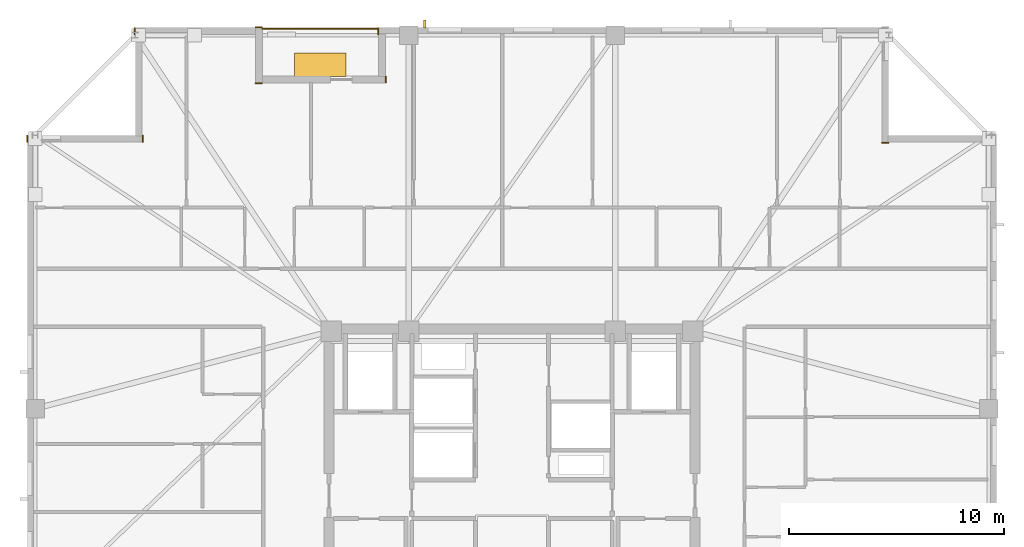
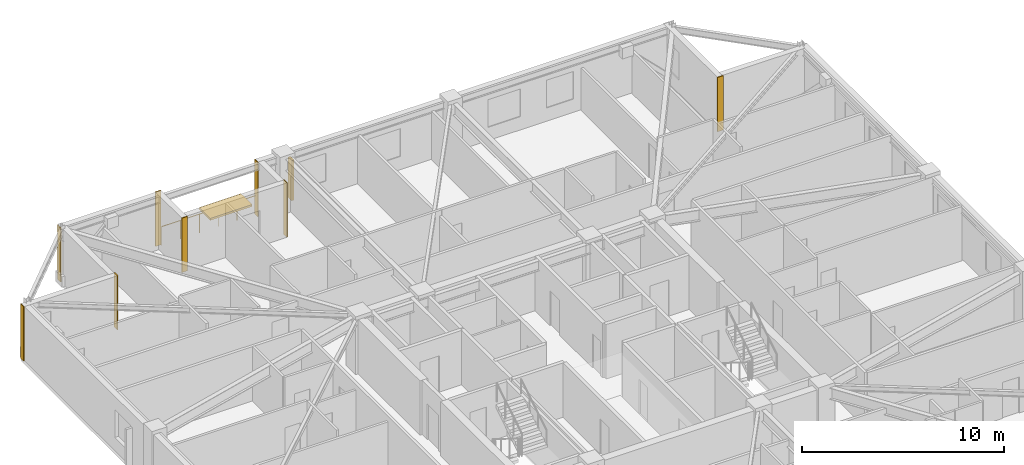
# One storey, part 16 of 17: 8 coverings, 2 shading devices, 1 railing.
"""IFC4 building model written with IfcOpenShell, lengths in metres."""

from ifc_helpers import new_model, si_unit, direction, frame, frame_2d, origin, origin_2d, place, context, subcontext, project, spatial, rectangle, circle, extrude, material, layer, layer_set, type_object, element, save


model = new_model("IFC4")

# Units and contexts
model_context = context("Model", 3, precision=1e-05, world=origin(), true_north=direction((0.0, 1.0)))
body_context = subcontext(model_context, "Body", "Model", "MODEL_VIEW")
ifc_project = project(units=[si_unit("LENGTHUNIT", "METRE"), si_unit("AREAUNIT", "SQUARE_METRE"), si_unit("VOLUMEUNIT", "CUBIC_METRE"), si_unit("PLANEANGLEUNIT", "RADIAN"), si_unit("MASSUNIT", "GRAM", prefix="KILO")], contexts=[model_context])

# Site, building, storey
site_placement = place(None, origin())
site = spatial("IfcSite", under=ifc_project, at=site_placement, CompositionType="ELEMENT")
building_placement = place(site_placement, origin())
building = spatial("IfcBuilding", under=site, at=building_placement, Name="Cairnveth Concourse Tower", CompositionType="ELEMENT")
storey_placement = place(building_placement, frame((0.0, 0.0, 220.0)))
storey = spatial("IfcBuildingStorey", under=building, at=storey_placement, Name="L60", CompositionType="ELEMENT", Elevation=220.0)

# Coverings
ifc_material_1 = material(Name="Dressed Melbourne Bluestone Cladding", Category="masonry")
ifc_layer = layer(ifc_material_1, 0.050048828125)
ifc_layer_set = layer_set([ifc_layer], Name="Dressed Melbourne Bluestone Cladding")
covering_type = type_object("IfcCoveringType", Name="DRESSED BLUESTONE PLINTH CLADDING 50", PredefinedType="CLADDING", material=ifc_layer_set)
for number, where, z_axis, x_axis, name in (
    (1, (45.780029296875, 61.179931640625, 0.0), (0.0, 0.0, 1.0), (0.0, 1.0, 0.0), "Melbourne Bluestone Corner Quoin L60-895"),
    (2, (69.179931640625, 56.159912109375, 0.0), (0.0, 0.0, 1.0), (1.0, 0.0, 0.0), "Melbourne Bluestone Corner Quoin L60-897"),
    (3, (29.47998046875, 56.179931640625, 0.0), (0.0, 0.0, 1.0), (0.0, 1.0, 0.0), "Melbourne Bluestone Corner Quoin L60-905"),
    (4, (34.840087890625, 56.179931640625, 0.0), (0.0, 0.0, 1.0), (0.0, 1.0, 0.0), "Melbourne Bluestone Corner Quoin L60-906"),
    (5, (34.47998046875, 61.179931640625, 0.0), (0.0, 0.0, 1.0), (0.0, 1.0, 0.0), "Melbourne Bluestone Corner Quoin L60-907"),
):
    element("IfcCovering", number, at=place(storey_placement, frame(where, z_axis=z_axis, x_axis=x_axis)), inside=storey, type_object=covering_type, Name=name, PredefinedType="CLADDING", context=body_context, shape_type="SweptSolid", body=[
        extrude(rectangle(XDim=0.320068359375, YDim=0.050048828125, at=frame_2d((0.16015625, 0.0))), origin(), (0.0, 0.0, 1.0), 3.2900390625),
    ])
for number, where, z_axis, x_axis, name in (
    (6, (40.080078125, 61.52001953125, 0.0), (0.0, 0.0, 1.0), (1.0, 0.0, 0.0), "Melbourne Bluestone Corner Quoin L60-908"),
    (7, (40.080078125, 58.909912109375, 0.0), (0.0, 0.0, 1.0), (1.0, 0.0, 0.0), "Melbourne Bluestone Corner Quoin L60-909"),
):
    element("IfcCovering", number, at=place(storey_placement, frame(where, z_axis=z_axis, x_axis=x_axis)), inside=storey, type_object=covering_type, Name=name, PredefinedType="CLADDING", context=body_context, shape_type="SweptSolid", body=[
        extrude(rectangle(XDim=0.31982421875, YDim=0.050048828125, at=frame_2d((0.159912109375, 0.0))), origin(), (0.0, 0.0, 1.0), 3.2900390625),
    ])
covering_placement = place(storey_placement, frame((46.139892578125, 58.929931640625, 0.0), z_axis=(0.0, 0.0, 1.0), x_axis=(0.0, 1.0, 0.0)))
element("IfcCovering", 8, at=covering_placement, inside=storey, type_object=covering_type, Name="Melbourne Bluestone Corner Quoin L60-910", PredefinedType="CLADDING", context=body_context, shape_type="SweptSolid", body=[
    extrude(rectangle(XDim=0.320068359375, YDim=0.050048828125, at=frame_2d((0.16015625, 0.0))), origin(), (0.0, 0.0, 1.0), 3.2900390625),
])

# Shading devices
ifc_material_2 = material(Name="Architectural Bronze Anodised Aluminium 6063-T6", Category="aluminium")
shading_device_type_1 = type_object("IfcShadingDeviceType", Name="GOTHIC BRONZE VERTICAL LANCET FIN", PredefinedType="USERDEFINED", material=ifc_material_2)
shading_device_1_placement = place(storey_placement, frame((47.9453125, 61.675048828125, 0.030029296875), z_axis=(0.0, 0.0, 1.0), x_axis=(1.0, 0.0, 0.0)))
element("IfcShadingDevice", 9, at=shading_device_1_placement, inside=storey, type_object=shading_device_type_1, Name="Gothic Bronze Vertical Fin L60-0-1", ObjectType="VERTICAL FIN", PredefinedType="USERDEFINED", context=body_context, shape_type="SweptSolid", body=[
    extrude(rectangle(XDim=0.1201171875, YDim=0.360107421875, at=origin_2d()), origin(), (0.0, 0.0, 1.0), 2.43798828125),
])
shading_device_type_2 = type_object("IfcShadingDeviceType", Name="SPIRAL TERRACE SUNSHADE CANOPY", PredefinedType="USERDEFINED", material=ifc_material_2)
shading_device_2_placement = place(storey_placement, frame((43.10009765625, 59.77001953125, 2.31787109375), z_axis=(0.0, 0.0, 1.0), x_axis=(1.0, 0.0, 0.0)))
element("IfcShadingDevice", 10, at=shading_device_2_placement, inside=storey, type_object=shading_device_type_2, Name="Spiral Terrace Sunshade L60", ObjectType="TERRACE SUNSHADE", PredefinedType="USERDEFINED", context=body_context, shape_type="SweptSolid", body=[
    extrude(rectangle(XDim=2.39990234375, YDim=1.10009765625, at=origin_2d()), origin(), (0.0, 0.0, 1.0), 0.1201171875),
])

# Railing
railing_type = type_object("IfcRailingType", Name="TERRACE BRONZE BALUSTRADE 1150", PredefinedType="BALUSTRADE", material=ifc_material_2)
railing_placement = place(storey_placement, frame((40.39990234375, 61.43994140625, 0.0)))
element("IfcRailing", 11, at=railing_placement, inside=storey, type_object=railing_type, Name="Terrace Balustrade RL-L60-TERR", PredefinedType="BALUSTRADE", context=body_context, shape_type="SweptSolid", body=[
    extrude(circle(Radius=0.02490234375, at=origin_2d()), frame((0.0, 0.0, 1.125), z_axis=(1.0, 0.0, 0.0), x_axis=(0.0, 1.0, 0.0)), (0.0, 0.0, 1.0), 5.400146484375),
    extrude(circle(Radius=0.02099609375, at=origin_2d()), origin(), (0.0, 0.0, 1.0), 1.099853515625),
    extrude(circle(Radius=0.02099609375, at=origin_2d()), frame((1.080078125, 0.0, 0.0)), (0.0, 0.0, 1.0), 1.099853515625),
    extrude(circle(Radius=0.02099609375, at=origin_2d()), frame((2.16015625, 0.0, 0.0)), (0.0, 0.0, 1.0), 1.099853515625),
    extrude(circle(Radius=0.02099609375, at=origin_2d()), frame((3.239990234375, 0.0, 0.0)), (0.0, 0.0, 1.0), 1.099853515625),
    extrude(circle(Radius=0.02099609375, at=origin_2d()), frame((4.320068359375, 0.0, 0.0)), (0.0, 0.0, 1.0), 1.099853515625),
    extrude(circle(Radius=0.02099609375, at=origin_2d()), frame((5.400146484375, 0.0, 0.0)), (0.0, 0.0, 1.0), 1.099853515625),
])

save(model, "model.ifc")
